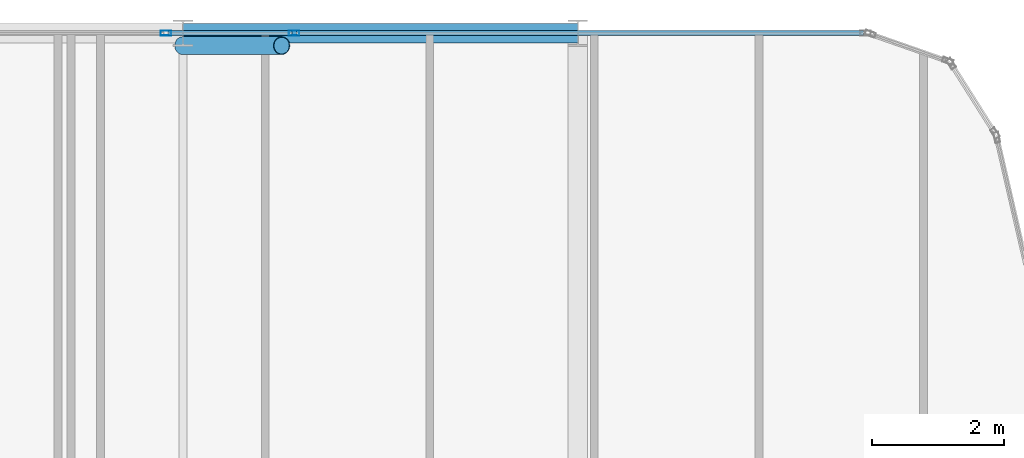
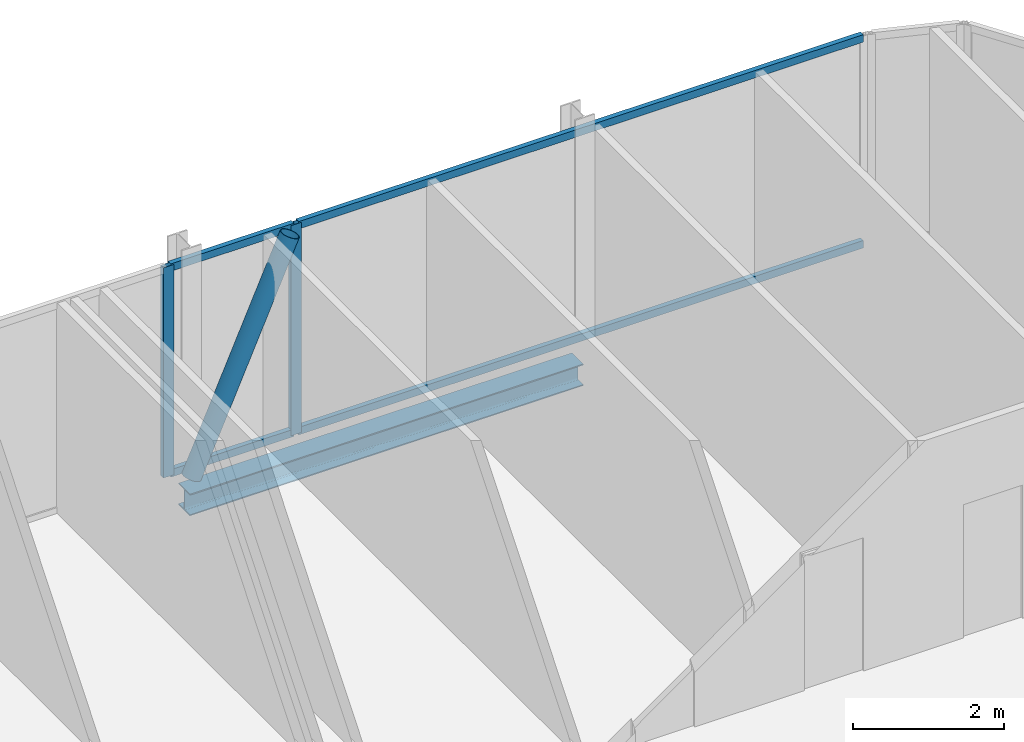
# One storey, part 19 of 31: 7 members, 1 beam, 3 elements without a shape of their own.
"""IFC4 building model written with IfcOpenShell, lengths in metres."""

from ifc_helpers import new_model, si_unit, direction, frame, origin, origin_2d, place, context, subcontext, project, spatial, hollow_rectangle, hollow_circle, i_section, extrude, material, layer, layer_set, material_profile, profile_set, type_object, element, aggregate, save


model = new_model("IFC4")

# Units and contexts
model_context = context("Model", 3, precision=1e-05, world=origin(), true_north=direction((0.0, 1.0)))
body_context = subcontext(model_context, "Body", "Model", "MODEL_VIEW")
ifc_project = project(units=[si_unit("LENGTHUNIT", "METRE"), si_unit("AREAUNIT", "SQUARE_METRE"), si_unit("VOLUMEUNIT", "CUBIC_METRE"), si_unit("PLANEANGLEUNIT", "RADIAN"), si_unit("MASSUNIT", "GRAM", prefix="KILO")], contexts=[model_context])

# Site, building, storey
site_placement = place(None, origin())
site = spatial("IfcSite", under=ifc_project, at=site_placement, CompositionType="ELEMENT")
building_placement = place(site_placement, origin())
building = spatial("IfcBuilding", under=site, at=building_placement, Name="Keshet Zoharim Tower", CompositionType="ELEMENT")
storey_placement = place(building_placement, frame((0.0, 0.0, 276.89990234375)))
storey = spatial("IfcBuildingStorey", under=building, at=storey_placement, Name="L69", CompositionType="ELEMENT", Elevation=276.89990234375)

# Beam
ifc_material_1 = material(Name="Steel S355", Category="steel")
ifc_material_profile_1 = material_profile(ifc_material_1, i_section(OverallWidth=0.300048828125, OverallDepth=0.35009765625, WebThickness=0.010009765625, FlangeThickness=0.017578125, FilletRadius=0.027099609375, at=origin_2d()), Name="HEA360")
ifc_profile_set_1 = profile_set([ifc_material_profile_1], Name="Steel S355")
beam_type = type_object("IfcBeamType", Name="BM-PRI-HA360", PredefinedType="BEAM", material=ifc_profile_set_1)
beam_placement = place(storey_placement, frame((27.0, 53.89990234375, -0.48486328125), z_axis=(1.0, 0.0, 0.0), x_axis=(0.0, 1.0, 0.0)))
element("IfcBeam", 1, at=beam_placement, inside=storey, type_object=beam_type, Name="L69 Primary Girder X-011", PredefinedType="BEAM", context=body_context, shape_type="SweptSolid", body=[
    extrude(i_section(OverallWidth=0.300048828125, OverallDepth=0.35009765625, WebThickness=0.010009765625, FlangeThickness=0.017578125, FilletRadius=0.027099609375, at=origin_2d()), origin(), (0.0, 0.0, 1.0), 6.0),
])

# Curtain wall, member
ifc_material_2 = material(Name="Aluminium 6063-T6", Category="aluminium")
ifc_layer = layer(ifc_material_2, 0.260009765625)
ifc_layer_set = layer_set([ifc_layer], Name="Aluminium 6063-T6")
curtain_wall_type = type_object("IfcCurtainWallType", Name="CW-SYS-06", PredefinedType="NOTDEFINED", material=ifc_layer_set)
curtain_wall_1_placement = place(storey_placement, origin())
curtain_wall_1 = element("IfcCurtainWall", 2, at=curtain_wall_1_placement, inside=storey, type_object=curtain_wall_type, Name="L69 Unitised Curtain Wall 06", PredefinedType="NOTDEFINED")
ifc_material_profile_2 = material_profile(ifc_material_2, hollow_rectangle(XDim=0.074951171875, YDim=0.159912109375, WallThickness=0.00390625, at=origin_2d()), Name="MUL-75x160")
ifc_profile_set_2 = profile_set([ifc_material_profile_2], Name="Aluminium 6063-T6")
member_type_1 = type_object("IfcMemberType", Name="CWM-M15", PredefinedType="MULLION", material=ifc_profile_set_2)
member_1_placement = place(storey_placement, frame((26.740234375, 53.89990234375, 0.0), z_axis=(0.0, 0.0, 1.0), x_axis=(0.0, 1.0, 0.0)))
member_1 = element("IfcMember", 3, at=member_1_placement, type_object=member_type_1, Name="CW-06 mullion 2", PredefinedType="MULLION", context=body_context, shape_type="SweptSolid", body=[
    extrude(hollow_rectangle(XDim=0.074951171875, YDim=0.159912109375, WallThickness=0.00390625, at=origin_2d()), origin(), (0.0, 0.0, 1.0), 3.39013671875),
])
aggregate(curtain_wall_1, [member_1])

# Curtain wall, members
curtain_wall_2_placement = place(storey_placement, origin())
curtain_wall_2 = element("IfcCurtainWall", 4, at=curtain_wall_2_placement, inside=storey, type_object=curtain_wall_type, Name="L69 Unitised Curtain Wall 06 Part 2", PredefinedType="NOTDEFINED")
member_2_placement = place(storey_placement, frame((28.689697265625, 53.89990234375, 0.0), z_axis=(0.0, 0.0, 1.0), x_axis=(0.0, 1.0, 0.0)))
member_2 = element("IfcMember", 5, at=member_2_placement, type_object=member_type_1, Name="CW-06 mullion 2", PredefinedType="MULLION", context=body_context, shape_type="SweptSolid", body=[
    extrude(hollow_rectangle(XDim=0.074951171875, YDim=0.159912109375, WallThickness=0.00390625, at=origin_2d()), origin(), (0.0, 0.0, 1.0), 3.39013671875),
])
ifc_material_profile_3 = material_profile(ifc_material_2, hollow_rectangle(XDim=0.074951171875, YDim=0.1201171875, WallThickness=0.00390625, at=origin_2d()), Name="TRN-75x120")
ifc_profile_set_3 = profile_set([ifc_material_profile_3], Name="Aluminium 6063-T6")
member_type_2 = type_object("IfcMemberType", Name="CWT-T12", PredefinedType="USERDEFINED", material=ifc_profile_set_3)
member_3_placement = place(storey_placement, frame((26.775146484375, 53.89990234375, 0.03515625), z_axis=(1.0, 0.0, 0.0), x_axis=(0.0, 1.0, 0.0)))
member_3 = element("IfcMember", 6, at=member_3_placement, type_object=member_type_2, Name="CW-06 transom 1.1", ObjectType="TRANSOM", PredefinedType="USERDEFINED", context=body_context, shape_type="SweptSolid", body=[
    extrude(hollow_rectangle(XDim=0.074951171875, YDim=0.1201171875, WallThickness=0.00390625, at=origin_2d()), origin(), (0.0, 0.0, 1.0), 1.879638671875),
])
member_4_placement = place(storey_placement, frame((26.775146484375, 53.89990234375, 3.35498046875), z_axis=(1.0, 0.0, 0.0), x_axis=(0.0, 1.0, 0.0)))
member_4 = element("IfcMember", 7, at=member_4_placement, type_object=member_type_2, Name="CW-06 transom 1.2", ObjectType="TRANSOM", PredefinedType="USERDEFINED", context=body_context, shape_type="SweptSolid", body=[
    extrude(hollow_rectangle(XDim=0.074951171875, YDim=0.1201171875, WallThickness=0.00390625, at=origin_2d()), origin(), (0.0, 0.0, 1.0), 1.879638671875),
])
aggregate(curtain_wall_2, [member_2, member_3, member_4])

curtain_wall_3_placement = place(storey_placement, origin())
curtain_wall_3 = element("IfcCurtainWall", 8, at=curtain_wall_3_placement, inside=storey, type_object=curtain_wall_type, Name="L69 Unitised Curtain Wall 06 Part 3", PredefinedType="NOTDEFINED")
member_5_placement = place(storey_placement, frame((28.724853515625, 53.89990234375, 0.03515625), z_axis=(1.0, 0.0, 0.0), x_axis=(0.0, 1.0, 0.0)))
member_5 = element("IfcMember", 9, at=member_5_placement, type_object=member_type_2, Name="CW-06 transom 1.1", ObjectType="TRANSOM", PredefinedType="USERDEFINED", context=body_context, shape_type="SweptSolid", body=[
    extrude(hollow_rectangle(XDim=0.074951171875, YDim=0.1201171875, WallThickness=0.00390625, at=origin_2d()), origin(), (0.0, 0.0, 1.0), 8.6142578125),
])
member_6_placement = place(storey_placement, frame((28.724853515625, 53.89990234375, 3.35498046875), z_axis=(1.0, 0.0, 0.0), x_axis=(0.0, 1.0, 0.0)))
member_6 = element("IfcMember", 10, at=member_6_placement, type_object=member_type_2, Name="CW-06 transom 1.2", ObjectType="TRANSOM", PredefinedType="USERDEFINED", context=body_context, shape_type="SweptSolid", body=[
    extrude(hollow_rectangle(XDim=0.074951171875, YDim=0.1201171875, WallThickness=0.00390625, at=origin_2d()), origin(), (0.0, 0.0, 1.0), 8.6142578125),
])
aggregate(curtain_wall_3, [member_5, member_6])

# Member
ifc_material_profile_4 = material_profile(ifc_material_1, hollow_circle(Radius=0.136474609375, WallThickness=0.010009765625, at=origin_2d()), Name="CHS273x10")
ifc_profile_set_4 = profile_set([ifc_material_profile_4], Name="Steel S355")
member_type_3 = type_object("IfcMemberType", Name="MB-BR-C273", PredefinedType="BRACE", material=ifc_profile_set_4)
member_7_placement = place(storey_placement, frame((27.0, 53.7099609375, 0.0), z_axis=(0.404622528463, 0.0, 0.914483793984), x_axis=(0.0, 1.0, 0.0)))
element("IfcMember", 11, at=member_7_placement, inside=storey, type_object=member_type_3, Name="L69 Perimeter Tube Brace 03", PredefinedType="BRACE", context=body_context, shape_type="SweptSolid", body=[
    extrude(hollow_circle(Radius=0.136474609375, WallThickness=0.010009765625, at=origin_2d()), origin(), (0.0, 0.0, 1.0), 3.707275390625),
])

save(model, "model.ifc")
